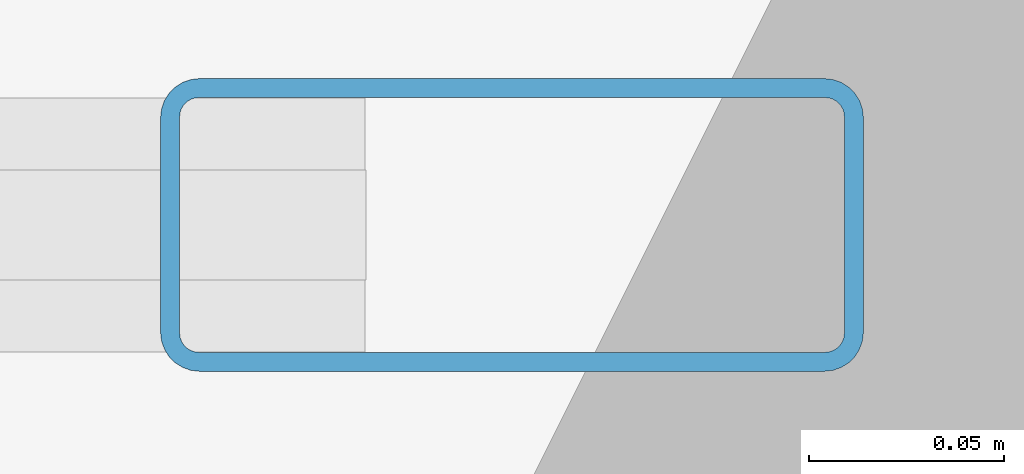
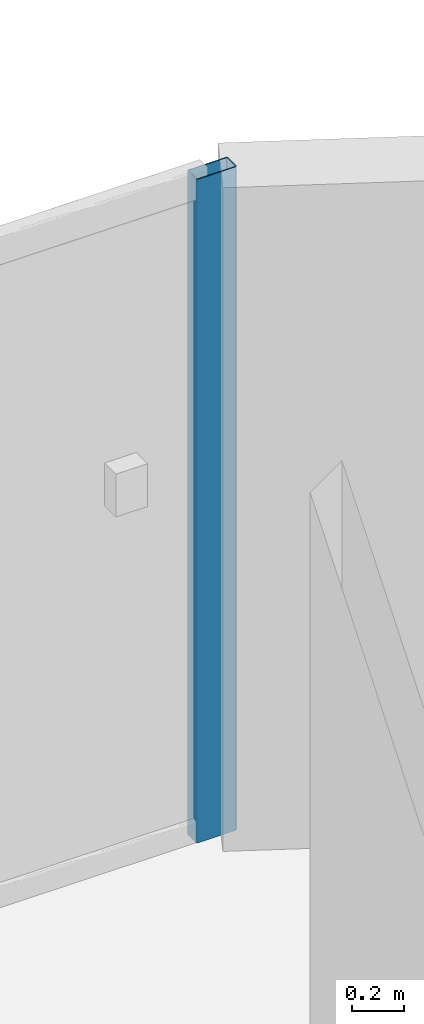
# One storey, part 8 of 21: 1 member, 1 element without a shape of its own.
"""IFC4 building model written with IfcOpenShell, lengths in metres."""

from ifc_helpers import new_model, si_unit, direction, frame, origin, origin_2d, place, context, subcontext, project, spatial, hollow_rectangle, extrude, material, layer, layer_set, material_profile, profile_set, type_object, element, aggregate, save


model = new_model("IFC4")

# Units and contexts
model_context = context("Model", 3, precision=1e-05, world=origin(), true_north=direction((0.0, 1.0)))
body_context = subcontext(model_context, "Body", "Model", "MODEL_VIEW")
ifc_project = project(units=[si_unit("LENGTHUNIT", "METRE"), si_unit("AREAUNIT", "SQUARE_METRE"), si_unit("VOLUMEUNIT", "CUBIC_METRE"), si_unit("PLANEANGLEUNIT", "RADIAN"), si_unit("MASSUNIT", "GRAM", prefix="KILO")], contexts=[model_context])

# Site, building, storey
site_placement = place(None, origin())
site = spatial("IfcSite", under=ifc_project, at=site_placement, CompositionType="ELEMENT")
building_placement = place(site_placement, origin())
building = spatial("IfcBuilding", under=site, at=building_placement, Name="Tarnavaz Court Tower", CompositionType="ELEMENT")
storey_placement = place(building_placement, frame((0.0, 0.0, 37.39990234375)))
storey = spatial("IfcBuildingStorey", under=building, at=storey_placement, Name="L09", CompositionType="ELEMENT", Elevation=37.39990234375)

# Curtain wall, member
ifc_material_1 = material(Name="Anodised Aluminium 6063-T6 and Solar Low-E Glazing", Category="aluminium")
ifc_layer = layer(ifc_material_1, 0.179931640625)
ifc_layer_set = layer_set([ifc_layer], Name="Anodised Aluminium 6063-T6 and Solar Low-E Glazing")
curtain_wall_type = type_object("IfcCurtainWallType", Name="CW-SYS-02", PredefinedType="NOTDEFINED", material=ifc_layer_set)
curtain_wall_placement = place(storey_placement, origin())
curtain_wall = element("IfcCurtainWall", 1, at=curtain_wall_placement, inside=storey, type_object=curtain_wall_type, Name="L09 Iwan Prow Curtain Wall 7", PredefinedType="NOTDEFINED")
ifc_material_2 = material(Name="Anodised Aluminium 6063-T6", Category="aluminium")
ifc_material_profile = material_profile(ifc_material_2, hollow_rectangle(XDim=0.074951171875, YDim=0.179931640625, WallThickness=0.0048828125, InnerFilletRadius=0.0048828125, OuterFilletRadius=0.010009765625, at=origin_2d()), Name="ALU RHS 180X75X5")
ifc_profile_set = profile_set([ifc_material_profile], Name="Anodised Aluminium 6063-T6")
member_type = type_object("IfcMemberType", Name="CW-MUL-180", PredefinedType="MULLION", material=ifc_profile_set)
member_placement = place(storey_placement, frame((4.3125, 25.050048828125, 0.0), z_axis=(0.0, 0.0, 1.0), x_axis=(0.0, 1.0, 0.0)))
member = element("IfcMember", 2, at=member_placement, type_object=member_type, Name="CW mullion 4", PredefinedType="MULLION", context=body_context, shape_type="SweptSolid", body=[
    extrude(hollow_rectangle(XDim=0.074951171875, YDim=0.179931640625, WallThickness=0.0048828125, InnerFilletRadius=0.0048828125, OuterFilletRadius=0.010009765625, at=origin_2d()), origin(), (0.0, 0.0, 1.0), 3.10009765625),
])
aggregate(curtain_wall, [member])

save(model, "model.ifc")
